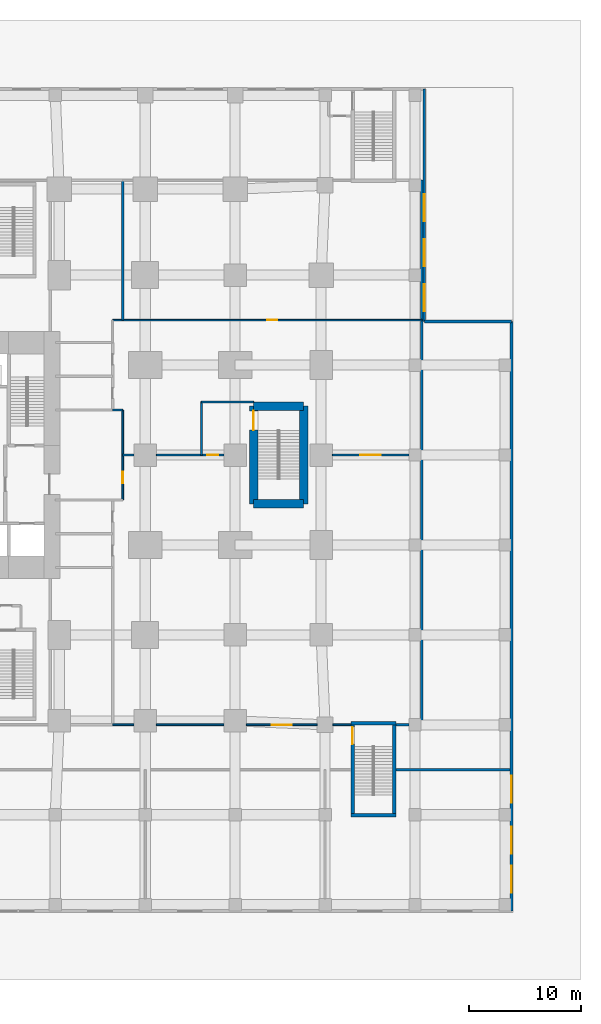
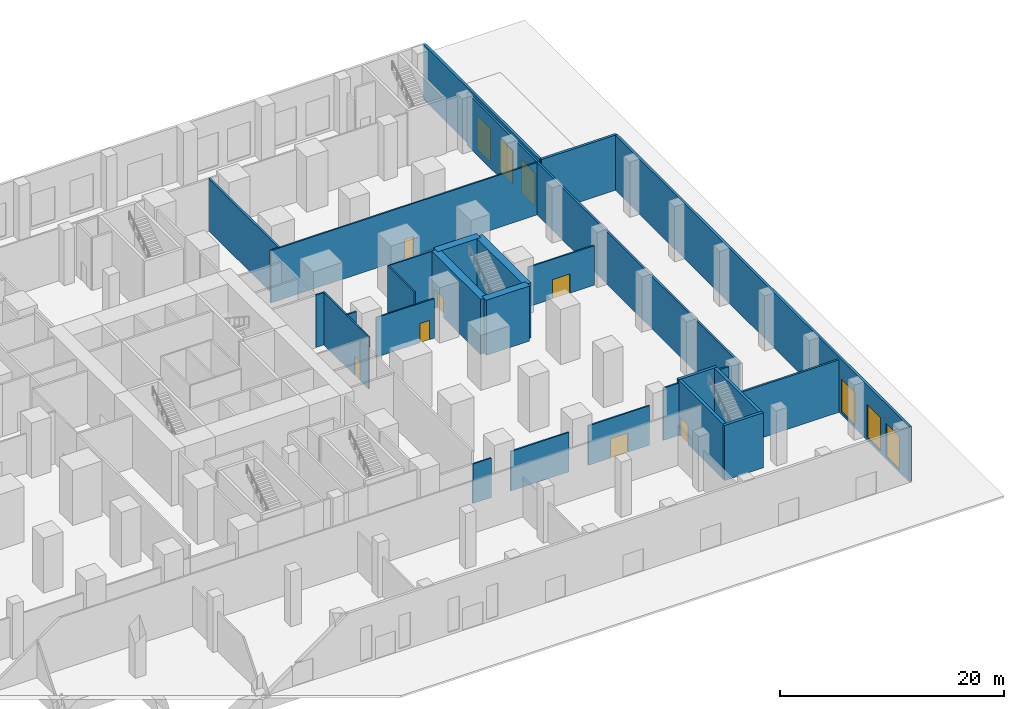
# One storey, part 9 of 16: 27 walls, 7 doors, 6 windows, 13 openings.
"""IFC4 building model written with IfcOpenShell, lengths in metres."""

from ifc_helpers import new_model, si_unit, direction, frame, frame_2d, origin, place, context, subcontext, project, spatial, rectangle, extrude, material, layer, layer_set, type_object, element, fill, save


model = new_model("IFC4")

# Units and contexts
model_context = context("Model", 3, precision=1e-05, world=origin(), true_north=direction((0.0, 1.0)))
body_context = subcontext(model_context, "Body", "Model", "MODEL_VIEW")
ifc_project = project(units=[si_unit("LENGTHUNIT", "METRE"), si_unit("AREAUNIT", "SQUARE_METRE"), si_unit("VOLUMEUNIT", "CUBIC_METRE"), si_unit("PLANEANGLEUNIT", "RADIAN"), si_unit("MASSUNIT", "GRAM", prefix="KILO")], contexts=[model_context])

# Site, building, storey
site_placement = place(None, origin())
site = spatial("IfcSite", under=ifc_project, at=site_placement, CompositionType="ELEMENT")
building_placement = place(site_placement, origin())
building = spatial("IfcBuilding", under=site, at=building_placement, Name="Cleftline Residences", CompositionType="ELEMENT")
storey_placement = place(building_placement, origin())
storey = spatial("IfcBuildingStorey", under=building, at=storey_placement, Name="L00", CompositionType="ELEMENT", Elevation=0.0)

# Wall, openings, windows
ifc_material_1 = material(Name="Rendered reinforced concrete blockwork", Category="masonry")
ifc_layer_1 = layer(ifc_material_1, 0.25)
ifc_layer_set_1 = layer_set([ifc_layer_1], Name="EXTERNAL WALL 250")
wall_type_1 = type_object("IfcWallType", Name="EXTERNAL WALL 250", PredefinedType="SOLIDWALL", material=ifc_layer_set_1)
wall_1_placement = place(storey_placement, frame((82.574951171875, -16.574951171875, 0.0), z_axis=(0.0, 0.0, 1.0), x_axis=(0.0, 1.0, 0.0)))
wall_1 = element("IfcWall", 1, at=wall_1_placement, inside=storey, type_object=wall_type_1, Name="External wall", PredefinedType="SOLIDWALL", context=body_context, shape_type="SweptSolid", body=[
    extrude(rectangle(XDim=52.449951171875, YDim=0.25, at=frame_2d((26.22509765625, 0.0))), origin(), (0.0, 0.0, 1.0), 6.0),
])
opening_1_placement = place(wall_1_placement, frame((1.64990234375, 0.0, 0.300048828125)))
opening_1 = element("IfcOpeningElement", 2, at=opening_1_placement, cuts=wall_1, Name="Opening W1", PredefinedType="OPENING", context=body_context, shape_type="SweptSolid", body=[
    extrude(rectangle(XDim=2.39990234375, YDim=3.60009765625, at=frame_2d((1.199951171875, 1.800048828125))), frame((0.0, 0.135009765625, 0.0), z_axis=(0.0, -1.0, 0.0), x_axis=(1.0, 0.0, 0.0)), (0.0, 0.0, 1.0), 0.27001953125),
])
opening_2_placement = place(wall_1_placement, frame((5.10009765625, 0.0, 0.300048828125)))
opening_2 = element("IfcOpeningElement", 3, at=opening_2_placement, cuts=wall_1, Name="Opening W1", PredefinedType="OPENING", context=body_context, shape_type="SweptSolid", body=[
    extrude(rectangle(XDim=2.39990234375, YDim=3.60009765625, at=frame_2d((1.199951171875, 1.800048828125))), frame((0.0, 0.135009765625, 0.0), z_axis=(0.0, -1.0, 0.0), x_axis=(1.0, 0.0, 0.0)), (0.0, 0.0, 1.0), 0.27001953125),
])
opening_3_placement = place(wall_1_placement, frame((9.64990234375, 0.0, 0.300048828125)))
opening_3 = element("IfcOpeningElement", 4, at=opening_3_placement, cuts=wall_1, Name="Opening W1", PredefinedType="OPENING", context=body_context, shape_type="SweptSolid", body=[
    extrude(rectangle(XDim=2.39990234375, YDim=3.60009765625, at=frame_2d((1.199951171875, 1.800048828125))), frame((0.0, 0.135009765625, 0.0), z_axis=(0.0, -1.0, 0.0), x_axis=(1.0, 0.0, 0.0)), (0.0, 0.0, 1.0), 0.27001953125),
])
ifc_material_2 = material(Name="Aluminium frame, clear double glazing", Category="aluminium")
window_type = type_object("IfcWindowType", Name="WINDOW 2400X3600", PartitioningType="DOUBLE_PANEL_VERTICAL", PredefinedType="WINDOW", material=ifc_material_2)
window_1_placement = place(opening_1_placement, origin())
window_1 = element("IfcWindow", 5, at=window_1_placement, inside=storey, type_object=window_type, Name="Window", OverallHeight=3.60009765625, OverallWidth=2.39990234375, PartitioningType="SINGLE_PANEL", PredefinedType="WINDOW", context=body_context, shape_type="SweptSolid", body=[
    extrude(rectangle(XDim=2.39990234375, YDim=3.60009765625, at=frame_2d((1.199951171875, 1.800048828125))), frame((0.0, 0.030029296875, 0.0), z_axis=(0.0, -1.0, 0.0), x_axis=(1.0, 0.0, 0.0)), (0.0, 0.0, 1.0), 0.06005859375),
])
fill(opening_1, window_1)
window_2_placement = place(opening_2_placement, origin())
window_2 = element("IfcWindow", 6, at=window_2_placement, inside=storey, type_object=window_type, Name="Window", OverallHeight=3.60009765625, OverallWidth=2.39990234375, PartitioningType="SINGLE_PANEL", PredefinedType="WINDOW", context=body_context, shape_type="SweptSolid", body=[
    extrude(rectangle(XDim=2.39990234375, YDim=3.60009765625, at=frame_2d((1.199951171875, 1.800048828125))), frame((0.0, 0.030029296875, 0.0), z_axis=(0.0, -1.0, 0.0), x_axis=(1.0, 0.0, 0.0)), (0.0, 0.0, 1.0), 0.06005859375),
])
fill(opening_2, window_2)
window_3_placement = place(opening_3_placement, origin())
window_3 = element("IfcWindow", 7, at=window_3_placement, inside=storey, type_object=window_type, Name="Window", OverallHeight=3.60009765625, OverallWidth=2.39990234375, PartitioningType="SINGLE_PANEL", PredefinedType="WINDOW", context=body_context, shape_type="SweptSolid", body=[
    extrude(rectangle(XDim=2.39990234375, YDim=3.60009765625, at=frame_2d((1.199951171875, 1.800048828125))), frame((0.0, 0.030029296875, 0.0), z_axis=(0.0, -1.0, 0.0), x_axis=(1.0, 0.0, 0.0)), (0.0, 0.0, 1.0), 0.06005859375),
])
fill(opening_3, window_3)

# Wall
wall_2_placement = place(storey_placement, frame((82.574951171875, 35.875, 0.0), z_axis=(0.0, 0.0, 1.0), x_axis=(-1.0, 0.0, 0.0)))
element("IfcWall", 8, at=wall_2_placement, inside=storey, type_object=wall_type_1, Name="External wall", PredefinedType="SOLIDWALL", context=body_context, shape_type="SweptSolid", body=[
    extrude(rectangle(XDim=7.75, YDim=0.25, at=frame_2d((3.875, 0.0))), origin(), (0.0, 0.0, 1.0), 6.0),
])

# Wall, openings, windows
wall_3_placement = place(storey_placement, frame((74.824951171875, 35.875, 0.0), z_axis=(0.0, 0.0, 1.0), x_axis=(0.0, 1.0, 0.0)))
wall_3 = element("IfcWall", 9, at=wall_3_placement, inside=storey, type_object=wall_type_1, Name="External wall", PredefinedType="SOLIDWALL", context=body_context, shape_type="SweptSolid", body=[
    extrude(rectangle(XDim=20.699951171875, YDim=0.25, at=frame_2d((10.35009765625, 0.0))), origin(), (0.0, 0.0, 1.0), 6.0),
])
opening_4_placement = place(wall_3_placement, frame((4.925048828125, 0.0, 0.300048828125)))
opening_4 = element("IfcOpeningElement", 10, at=opening_4_placement, cuts=wall_3, Name="Opening W1", PredefinedType="OPENING", context=body_context, shape_type="SweptSolid", body=[
    extrude(rectangle(XDim=2.39990234375, YDim=3.60009765625, at=frame_2d((1.199951171875, 1.800048828125))), frame((0.0, 0.135009765625, 0.0), z_axis=(0.0, -1.0, 0.0), x_axis=(1.0, 0.0, 0.0)), (0.0, 0.0, 1.0), 0.27001953125),
])
opening_5_placement = place(wall_3_placement, frame((8.925048828125, 0.0, 0.300048828125)))
opening_5 = element("IfcOpeningElement", 11, at=opening_5_placement, cuts=wall_3, Name="Opening W1", PredefinedType="OPENING", context=body_context, shape_type="SweptSolid", body=[
    extrude(rectangle(XDim=2.39990234375, YDim=3.60009765625, at=frame_2d((1.199951171875, 1.800048828125))), frame((0.0, 0.135009765625, 0.0), z_axis=(0.0, -1.0, 0.0), x_axis=(1.0, 0.0, 0.0)), (0.0, 0.0, 1.0), 0.27001953125),
])
opening_6_placement = place(wall_3_placement, frame((0.925048828125, 0.0, 0.300048828125)))
opening_6 = element("IfcOpeningElement", 12, at=opening_6_placement, cuts=wall_3, Name="Opening W1", PredefinedType="OPENING", context=body_context, shape_type="SweptSolid", body=[
    extrude(rectangle(XDim=2.39990234375, YDim=3.60009765625, at=frame_2d((1.199951171875, 1.800048828125))), frame((0.0, 0.135009765625, 0.0), z_axis=(0.0, -1.0, 0.0), x_axis=(1.0, 0.0, 0.0)), (0.0, 0.0, 1.0), 0.27001953125),
])
window_4_placement = place(opening_4_placement, origin())
window_4 = element("IfcWindow", 13, at=window_4_placement, inside=storey, type_object=window_type, Name="Window", OverallHeight=3.60009765625, OverallWidth=2.39990234375, PartitioningType="SINGLE_PANEL", PredefinedType="WINDOW", context=body_context, shape_type="SweptSolid", body=[
    extrude(rectangle(XDim=2.39990234375, YDim=3.60009765625, at=frame_2d((1.199951171875, 1.800048828125))), frame((0.0, 0.030029296875, 0.0), z_axis=(0.0, -1.0, 0.0), x_axis=(1.0, 0.0, 0.0)), (0.0, 0.0, 1.0), 0.06005859375),
])
fill(opening_4, window_4)
window_5_placement = place(opening_5_placement, origin())
window_5 = element("IfcWindow", 14, at=window_5_placement, inside=storey, type_object=window_type, Name="Window", OverallHeight=3.60009765625, OverallWidth=2.39990234375, PartitioningType="SINGLE_PANEL", PredefinedType="WINDOW", context=body_context, shape_type="SweptSolid", body=[
    extrude(rectangle(XDim=2.39990234375, YDim=3.60009765625, at=frame_2d((1.199951171875, 1.800048828125))), frame((0.0, 0.030029296875, 0.0), z_axis=(0.0, -1.0, 0.0), x_axis=(1.0, 0.0, 0.0)), (0.0, 0.0, 1.0), 0.06005859375),
])
fill(opening_5, window_5)
window_6_placement = place(opening_6_placement, origin())
window_6 = element("IfcWindow", 15, at=window_6_placement, inside=storey, type_object=window_type, Name="Window", OverallHeight=3.60009765625, OverallWidth=2.39990234375, PartitioningType="SINGLE_PANEL", PredefinedType="WINDOW", context=body_context, shape_type="SweptSolid", body=[
    extrude(rectangle(XDim=2.39990234375, YDim=3.60009765625, at=frame_2d((1.199951171875, 1.800048828125))), frame((0.0, 0.030029296875, 0.0), z_axis=(0.0, -1.0, 0.0), x_axis=(1.0, 0.0, 0.0)), (0.0, 0.0, 1.0), 0.06005859375),
])
fill(opening_6, window_6)

# Walls
ifc_material_3 = material(Name="Concrete blockwork, fire rated", Category="masonry")
ifc_layer_2 = layer(ifc_material_3, 0.199951171875)
ifc_layer_set_2 = layer_set([ifc_layer_2], Name="FIRE WALL 200")
wall_type_2 = type_object("IfcWallType", Name="FIRE WALL 200", PredefinedType="PARTITIONING", material=ifc_layer_set_2)
wall_4_placement = place(storey_placement, frame((72.300048828125, -4.0, 0.0), z_axis=(0.0, 0.0, 1.0), x_axis=(1.0, 0.0, 0.0)))
element("IfcWall", 16, at=wall_4_placement, inside=storey, type_object=wall_type_2, Name="Fire separating wall", PredefinedType="PARTITIONING", context=body_context, shape_type="SweptSolid", body=[
    extrude(rectangle(XDim=10.14990234375, YDim=0.199951171875, at=frame_2d((5.074951171875, 0.0))), origin(), (0.0, 0.0, 1.0), 5.699951171875),
])
wall_5_placement = place(storey_placement, frame((72.300048828125, 0.0, 0.0), z_axis=(0.0, 0.0, 1.0), x_axis=(1.0, 0.0, 0.0)))
element("IfcWall", 17, at=wall_5_placement, inside=storey, type_object=wall_type_2, Name="Fire separating wall", PredefinedType="PARTITIONING", context=body_context, shape_type="SweptSolid", body=[
    extrude(rectangle(XDim=1.14990234375, YDim=0.199951171875, at=frame_2d((0.574951171875, 0.0))), origin(), (0.0, 0.0, 1.0), 5.699951171875),
])
wall_6_placement = place(storey_placement, frame((48.0, 36.0, 0.0), z_axis=(0.0, 0.0, 1.0), x_axis=(0.0, 1.0, 0.0)))
element("IfcWall", 18, at=wall_6_placement, inside=storey, type_object=wall_type_2, Name="Fire separating wall", PredefinedType="PARTITIONING", context=body_context, shape_type="SweptSolid", body=[
    extrude(rectangle(XDim=12.449951171875, YDim=0.199951171875, at=frame_2d((6.22509765625, 0.0))), origin(), (0.0, 0.0, 1.0), 5.699951171875),
])
wall_7_placement = place(storey_placement, frame((74.60009765625, 0.0, 0.0), z_axis=(0.0, 0.0, 1.0), x_axis=(0.0, 1.0, 0.0)))
element("IfcWall", 19, at=wall_7_placement, inside=storey, type_object=wall_type_2, Name="Fire separating wall", PredefinedType="PARTITIONING", context=body_context, shape_type="SweptSolid", body=[
    extrude(rectangle(XDim=48.449951171875, YDim=0.199951171875, at=frame_2d((24.22509765625, 0.0))), origin(), (0.0, 0.0, 1.0), 5.699951171875),
])
ifc_material_4 = material(Name="Gypsum board on steel studs", Category="steel")
ifc_layer_3 = layer(ifc_material_4, 0.14990234375)
ifc_layer_set_3 = layer_set([ifc_layer_3], Name="PARTITION 150")
wall_type_3 = type_object("IfcWallType", Name="PARTITION 150", PredefinedType="PARTITIONING", material=ifc_layer_set_3)
wall_8_placement = place(storey_placement, frame((47.10009765625, 0.0, 0.0), z_axis=(0.0, 0.0, 1.0), x_axis=(1.0, 0.0, 0.0)))
element("IfcWall", 20, at=wall_8_placement, inside=storey, type_object=wall_type_3, Name="Partition", PredefinedType="PARTITIONING", context=body_context, shape_type="SweptSolid", body=[
    extrude(rectangle(XDim=1.89990234375, YDim=0.14990234375, at=frame_2d((0.949951171875, 0.0))), origin(), (0.0, 0.0, 1.0), 4.300048828125),
])
wall_9_placement = place(storey_placement, frame((51.0, 0.0, 0.0), z_axis=(0.0, 0.0, 1.0), x_axis=(1.0, 0.0, 0.0)))
element("IfcWall", 21, at=wall_9_placement, inside=storey, type_object=wall_type_3, Name="Partition", PredefinedType="PARTITIONING", context=body_context, shape_type="SweptSolid", body=[
    extrude(rectangle(XDim=6.0, YDim=0.14990234375, at=frame_2d((3.0, 0.0))), origin(), (0.0, 0.0, 1.0), 4.300048828125),
])

# Wall, opening, door
wall_10_placement = place(storey_placement, frame((59.0, 0.0, 0.0), z_axis=(0.0, 0.0, 1.0), x_axis=(1.0, 0.0, 0.0)))
wall_10 = element("IfcWall", 22, at=wall_10_placement, inside=storey, type_object=wall_type_3, Name="Partition", PredefinedType="PARTITIONING", context=body_context, shape_type="SweptSolid", body=[
    extrude(rectangle(XDim=6.300048828125, YDim=0.14990234375, at=frame_2d((3.14990234375, 0.0))), origin(), (0.0, 0.0, 1.0), 4.300048828125),
])
opening_7_placement = place(wall_10_placement, frame((2.25, 0.0, 0.0)))
opening_7 = element("IfcOpeningElement", 23, at=opening_7_placement, cuts=wall_10, Name="Opening D3F30", PredefinedType="OPENING", context=body_context, shape_type="SweptSolid", body=[
    extrude(rectangle(XDim=1.800048828125, YDim=2.10009765625, at=frame_2d((0.89990234375, 1.050048828125))), frame((0.0, 0.0849609375, 0.0), z_axis=(0.0, -1.0, 0.0), x_axis=(1.0, 0.0, 0.0)), (0.0, 0.0, 1.0), 0.169921875),
])
ifc_material_5 = material(Name="Timber veneer on solid core", Category="wood")
door_type_1 = type_object("IfcDoorType", Name="DOUBLE DOOR 1800X2100 EI 30", OperationType="DOUBLE_DOOR_DOUBLE_SWING", PredefinedType="DOOR", material=ifc_material_5)
door_1_placement = place(opening_7_placement, origin())
door_1 = element("IfcDoor", 24, at=door_1_placement, inside=storey, type_object=door_type_1, Name="Door to retail lobby", OperationType="DOUBLE_DOOR_DOUBLE_SWING", OverallHeight=2.10009765625, OverallWidth=1.800048828125, PredefinedType="DOOR", context=body_context, shape_type="SweptSolid", body=[
    extrude(rectangle(XDim=1.800048828125, YDim=2.10009765625, at=frame_2d((0.89990234375, 1.050048828125))), frame((0.0, 0.02490234375, 0.0), z_axis=(0.0, -1.0, 0.0), x_axis=(1.0, 0.0, 0.0)), (0.0, 0.0, 1.0), 0.050048828125),
])
fill(opening_7, door_1)

# Walls
wall_11_placement = place(storey_placement, frame((66.699951171875, 0.0, 0.0), z_axis=(0.0, 0.0, 1.0), x_axis=(1.0, 0.0, 0.0)))
element("IfcWall", 25, at=wall_11_placement, inside=storey, type_object=wall_type_3, Name="Partition", PredefinedType="PARTITIONING", context=body_context, shape_type="SweptSolid", body=[
    extrude(rectangle(XDim=1.60009765625, YDim=0.14990234375, at=frame_2d((0.800048828125, 0.0))), origin(), (0.0, 0.0, 1.0), 5.699951171875),
])
wall_12_placement = place(storey_placement, frame((48.0, 24.0, 0.0), z_axis=(0.0, 0.0, 1.0), x_axis=(1.0, 0.0, 0.0)))
element("IfcWall", 26, at=wall_12_placement, inside=storey, type_object=wall_type_3, Name="Partition", PredefinedType="PARTITIONING", context=body_context, shape_type="SweptSolid", body=[
    extrude(rectangle(XDim=1.0, YDim=0.14990234375, at=frame_2d((0.5, 0.0))), origin(), (0.0, 0.0, 1.0), 5.699951171875),
])

# Wall, opening, door
wall_13_placement = place(storey_placement, frame((51.0, 24.0, 0.0), z_axis=(0.0, 0.0, 1.0), x_axis=(1.0, 0.0, 0.0)))
wall_13 = element("IfcWall", 27, at=wall_13_placement, inside=storey, type_object=wall_type_3, Name="Partition", PredefinedType="PARTITIONING", context=body_context, shape_type="SweptSolid", body=[
    extrude(rectangle(XDim=6.0, YDim=0.14990234375, at=frame_2d((3.0, 0.0))), origin(), (0.0, 0.0, 1.0), 4.300048828125),
])
opening_8_placement = place(wall_13_placement, frame((4.5, 0.0, 0.0)))
opening_8 = element("IfcOpeningElement", 28, at=opening_8_placement, cuts=wall_13, Name="Opening D2F30", PredefinedType="OPENING", context=body_context, shape_type="SweptSolid", body=[
    extrude(rectangle(XDim=1.0, YDim=2.10009765625, at=frame_2d((0.5, 1.050048828125))), frame((0.0, 0.0849609375, 0.0), z_axis=(0.0, -1.0, 0.0), x_axis=(1.0, 0.0, 0.0)), (0.0, 0.0, 1.0), 0.169921875),
])
ifc_material_6 = material(Name="Timber veneer on solid core", Category="wood")
door_type_2 = type_object("IfcDoorType", Name="DOOR 1000X2100 EI 30", OperationType="SINGLE_SWING_LEFT", PredefinedType="DOOR", material=ifc_material_6)
door_2_placement = place(opening_8_placement, origin())
door_2 = element("IfcDoor", 29, at=door_2_placement, inside=storey, type_object=door_type_2, Name="Door to stair lobby east", OperationType="SINGLE_SWING_LEFT", OverallHeight=2.10009765625, OverallWidth=1.0, PredefinedType="DOOR", context=body_context, shape_type="SweptSolid", body=[
    extrude(rectangle(XDim=1.0, YDim=2.10009765625, at=frame_2d((0.5, 1.050048828125))), frame((0.0, 0.02490234375, 0.0), z_axis=(0.0, -1.0, 0.0), x_axis=(1.0, 0.0, 0.0)), (0.0, 0.0, 1.0), 0.050048828125),
])
fill(opening_8, door_2)

wall_14_placement = place(storey_placement, frame((66.64990234375, 24.0, 0.0), z_axis=(0.0, 0.0, 1.0), x_axis=(1.0, 0.0, 0.0)))
wall_14 = element("IfcWall", 30, at=wall_14_placement, inside=storey, type_object=wall_type_3, Name="Partition", PredefinedType="PARTITIONING", context=body_context, shape_type="SweptSolid", body=[
    extrude(rectangle(XDim=6.800048828125, YDim=0.14990234375, at=frame_2d((3.39990234375, 0.0))), origin(), (0.0, 0.0, 1.0), 4.300048828125),
])
opening_9_placement = place(wall_14_placement, frame((2.5, 0.0, 0.0)))
opening_9 = element("IfcOpeningElement", 31, at=opening_9_placement, cuts=wall_14, Name="Opening D3", PredefinedType="OPENING", context=body_context, shape_type="SweptSolid", body=[
    extrude(rectangle(XDim=1.800048828125, YDim=2.10009765625, at=frame_2d((0.89990234375, 1.050048828125))), frame((0.0, 0.0849609375, 0.0), z_axis=(0.0, -1.0, 0.0), x_axis=(1.0, 0.0, 0.0)), (0.0, 0.0, 1.0), 0.169921875),
])
ifc_material_7 = material(Name="Timber veneer on solid core", Category="wood")
door_type_3 = type_object("IfcDoorType", Name="DOUBLE DOOR 1800X2100", OperationType="DOUBLE_DOOR_DOUBLE_SWING", PredefinedType="DOOR", material=ifc_material_7)
door_3_placement = place(opening_9_placement, origin())
door_3 = element("IfcDoor", 32, at=door_3_placement, inside=storey, type_object=door_type_3, Name="Door to restaurant", OperationType="DOUBLE_DOOR_DOUBLE_SWING", OverallHeight=2.10009765625, OverallWidth=1.800048828125, PredefinedType="DOOR", context=body_context, shape_type="SweptSolid", body=[
    extrude(rectangle(XDim=1.800048828125, YDim=2.10009765625, at=frame_2d((0.89990234375, 1.050048828125))), frame((0.0, 0.02490234375, 0.0), z_axis=(0.0, -1.0, 0.0), x_axis=(1.0, 0.0, 0.0)), (0.0, 0.0, 1.0), 0.050048828125),
])
fill(opening_9, door_3)

# Walls
wall_15_placement = place(storey_placement, frame((47.10009765625, 28.0, 0.0), z_axis=(0.0, 0.0, 1.0), x_axis=(1.0, 0.0, 0.0)))
element("IfcWall", 33, at=wall_15_placement, inside=storey, type_object=wall_type_3, Name="Partition", PredefinedType="PARTITIONING", context=body_context, shape_type="SweptSolid", body=[
    extrude(rectangle(XDim=0.89990234375, YDim=0.14990234375, at=frame_2d((0.449951171875, 0.0))), origin(), (0.0, 0.0, 1.0), 5.699951171875),
])
wall_16_placement = place(storey_placement, frame((55.0, 28.72509765625, 0.0), z_axis=(0.0, 0.0, 1.0), x_axis=(1.0, 0.0, 0.0)))
element("IfcWall", 34, at=wall_16_placement, inside=storey, type_object=wall_type_3, Name="Partition", PredefinedType="PARTITIONING", context=body_context, shape_type="SweptSolid", body=[
    extrude(rectangle(XDim=4.64990234375, YDim=0.14990234375, at=frame_2d((2.324951171875, 0.0))), origin(), (0.0, 0.0, 1.0), 5.699951171875),
])

# Wall, opening, door
wall_17_placement = place(storey_placement, frame((47.10009765625, 36.0, 0.0), z_axis=(0.0, 0.0, 1.0), x_axis=(1.0, 0.0, 0.0)))
wall_17 = element("IfcWall", 35, at=wall_17_placement, inside=storey, type_object=wall_type_3, Name="Partition", PredefinedType="PARTITIONING", context=body_context, shape_type="SweptSolid", body=[
    extrude(rectangle(XDim=27.5, YDim=0.14990234375, at=frame_2d((13.75, 0.0))), origin(), (0.0, 0.0, 1.0), 5.699951171875),
])
opening_10_placement = place(wall_17_placement, frame((13.75, 0.0, 0.0)))
opening_10 = element("IfcOpeningElement", 36, at=opening_10_placement, cuts=wall_17, Name="Opening D1", PredefinedType="OPENING", context=body_context, shape_type="SweptSolid", body=[
    extrude(rectangle(XDim=0.89990234375, YDim=2.10009765625, at=frame_2d((0.449951171875, 1.050048828125))), frame((0.0, 0.0849609375, 0.0), z_axis=(0.0, -1.0, 0.0), x_axis=(1.0, 0.0, 0.0)), (0.0, 0.0, 1.0), 0.169921875),
])
ifc_material_8 = material(Name="Timber veneer on solid core", Category="wood")
door_type_4 = type_object("IfcDoorType", Name="DOOR 900X2100", OperationType="SINGLE_SWING_LEFT", PredefinedType="DOOR", material=ifc_material_8)
door_4_placement = place(opening_10_placement, origin())
door_4 = element("IfcDoor", 37, at=door_4_placement, inside=storey, type_object=door_type_4, Name="Door to restaurant kitchen", OperationType="SINGLE_SWING_LEFT", OverallHeight=2.10009765625, OverallWidth=0.89990234375, PredefinedType="DOOR", context=body_context, shape_type="SweptSolid", body=[
    extrude(rectangle(XDim=0.89990234375, YDim=2.10009765625, at=frame_2d((0.449951171875, 1.050048828125))), frame((0.0, 0.02490234375, 0.0), z_axis=(0.0, -1.0, 0.0), x_axis=(1.0, 0.0, 0.0)), (0.0, 0.0, 1.0), 0.050048828125),
])
fill(opening_10, door_4)

wall_18_placement = place(storey_placement, frame((48.0, 20.0, 0.0), z_axis=(0.0, 0.0, 1.0), x_axis=(0.0, 1.0, 0.0)))
wall_18 = element("IfcWall", 38, at=wall_18_placement, inside=storey, type_object=wall_type_3, Name="Partition", PredefinedType="PARTITIONING", context=body_context, shape_type="SweptSolid", body=[
    extrude(rectangle(XDim=8.0, YDim=0.14990234375, at=frame_2d((4.0, 0.0))), origin(), (0.0, 0.0, 1.0), 5.699951171875),
])
opening_11_placement = place(wall_18_placement, frame((1.5, 0.0, 0.0)))
opening_11 = element("IfcOpeningElement", 39, at=opening_11_placement, cuts=wall_18, Name="Opening D2F30", PredefinedType="OPENING", context=body_context, shape_type="SweptSolid", body=[
    extrude(rectangle(XDim=1.0, YDim=2.10009765625, at=frame_2d((0.5, 1.050048828125))), frame((0.0, 0.0849609375, 0.0), z_axis=(0.0, -1.0, 0.0), x_axis=(1.0, 0.0, 0.0)), (0.0, 0.0, 1.0), 0.169921875),
])
door_5_placement = place(opening_11_placement, origin())
door_5 = element("IfcDoor", 40, at=door_5_placement, inside=storey, type_object=door_type_2, Name="Door to east lift lobby", OperationType="SINGLE_SWING_RIGHT", OverallHeight=2.10009765625, OverallWidth=1.0, PredefinedType="DOOR", context=body_context, shape_type="SweptSolid", body=[
    extrude(rectangle(XDim=1.0, YDim=2.10009765625, at=frame_2d((0.5, 1.050048828125))), frame((0.0, 0.02490234375, 0.0), z_axis=(0.0, -1.0, 0.0), x_axis=(1.0, 0.0, 0.0)), (0.0, 0.0, 1.0), 0.050048828125),
])
fill(opening_11, door_5)

# Walls
wall_19_placement = place(storey_placement, frame((55.0, 24.0, 0.0), z_axis=(0.0, 0.0, 1.0), x_axis=(0.0, 1.0, 0.0)))
element("IfcWall", 41, at=wall_19_placement, inside=storey, type_object=wall_type_3, Name="Partition", PredefinedType="PARTITIONING", context=body_context, shape_type="SweptSolid", body=[
    extrude(rectangle(XDim=4.72509765625, YDim=0.14990234375, at=frame_2d((2.362548828125, 0.0))), origin(), (0.0, 0.0, 1.0), 5.699951171875),
])
ifc_material_9 = material(Name="Concrete B70", Category="concrete")
ifc_layer_4 = layer(ifc_material_9, 0.75)
ifc_layer_set_4 = layer_set([ifc_layer_4], Name="SHEAR WALL 750")
wall_type_4 = type_object("IfcWallType", Name="SHEAR WALL 750", PredefinedType="SHEAR", material=ifc_layer_set_4)
wall_20_placement = place(storey_placement, frame((59.64990234375, 19.64990234375, 0.0), z_axis=(0.0, 0.0, 1.0), x_axis=(1.0, 0.0, 0.0)))
element("IfcWall", 42, at=wall_20_placement, inside=storey, type_object=wall_type_4, Name="Wing shear wall", PredefinedType="SHEAR", context=body_context, shape_type="SweptSolid", body=[
    extrude(rectangle(XDim=4.4501953125, YDim=0.75, at=frame_2d((2.22509765625, 0.0))), origin(), (0.0, 0.0, 1.0), 6.0),
])
wall_21_placement = place(storey_placement, frame((64.10009765625, 19.64990234375, 0.0), z_axis=(0.0, 0.0, 1.0), x_axis=(0.0, 1.0, 0.0)))
element("IfcWall", 43, at=wall_21_placement, inside=storey, type_object=wall_type_4, Name="Wing shear wall", PredefinedType="SHEAR", context=body_context, shape_type="SweptSolid", body=[
    extrude(rectangle(XDim=8.7001953125, YDim=0.75, at=frame_2d((4.35009765625, 0.0))), origin(), (0.0, 0.0, 1.0), 6.0),
])
wall_22_placement = place(storey_placement, frame((64.10009765625, 28.35009765625, 0.0), z_axis=(0.0, 0.0, 1.0), x_axis=(-1.0, 0.0, 0.0)))
element("IfcWall", 44, at=wall_22_placement, inside=storey, type_object=wall_type_4, Name="Wing shear wall", PredefinedType="SHEAR", context=body_context, shape_type="SweptSolid", body=[
    extrude(rectangle(XDim=4.4501953125, YDim=0.75, at=frame_2d((2.22509765625, 0.0))), origin(), (0.0, 0.0, 1.0), 6.0),
])

# Wall, opening, door
wall_23_placement = place(storey_placement, frame((59.64990234375, 28.35009765625, 0.0), z_axis=(0.0, 0.0, 1.0), x_axis=(0.0, -1.0, 0.0)))
wall_23 = element("IfcWall", 45, at=wall_23_placement, inside=storey, type_object=wall_type_4, Name="Wing shear wall", PredefinedType="SHEAR", context=body_context, shape_type="SweptSolid", body=[
    extrude(rectangle(XDim=8.7001953125, YDim=0.75, at=frame_2d((4.35009765625, 0.0))), origin(), (0.0, 0.0, 1.0), 6.0),
])
opening_12_placement = place(wall_23_placement, frame((0.425048828125, 0.0, 0.0)))
opening_12 = element("IfcOpeningElement", 46, at=opening_12_placement, cuts=wall_23, Name="Opening D10", PredefinedType="OPENING", context=body_context, shape_type="SweptSolid", body=[
    extrude(rectangle(XDim=1.699951171875, YDim=2.10009765625, at=frame_2d((0.85009765625, 1.050048828125))), frame((0.0, 0.385009765625, 0.0), z_axis=(0.0, -1.0, 0.0), x_axis=(1.0, 0.0, 0.0)), (0.0, 0.0, 1.0), 0.77001953125),
])
ifc_material_10 = material(Name="Steel", Category="steel")
door_type_5 = type_object("IfcDoorType", Name="STAIR DOOR 1700X2100", OperationType="DOUBLE_DOOR_SINGLE_SWING", PredefinedType="DOOR", material=ifc_material_10)
door_6_placement = place(opening_12_placement, origin())
door_6 = element("IfcDoor", 47, at=door_6_placement, inside=storey, type_object=door_type_5, Name="Stair E door", OperationType="DOUBLE_DOOR_SINGLE_SWING", OverallHeight=2.10009765625, OverallWidth=1.699951171875, PredefinedType="DOOR", context=body_context, shape_type="SweptSolid", body=[
    extrude(rectangle(XDim=1.699951171875, YDim=2.10009765625, at=frame_2d((0.85009765625, 1.050048828125))), frame((0.0, 0.02490234375, 0.0), z_axis=(0.0, -1.0, 0.0), x_axis=(1.0, 0.0, 0.0)), (0.0, 0.0, 1.0), 0.050048828125),
])
fill(opening_12, door_6)

# Walls
ifc_material_11 = material(Name="Concrete blockwork, fire rated", Category="masonry")
ifc_layer_5 = layer(ifc_material_11, 0.300048828125)
ifc_layer_set_5 = layer_set([ifc_layer_5], Name="STAIR ENCLOSURE WALL 300")
wall_type_5 = type_object("IfcWallType", Name="STAIR ENCLOSURE WALL 300", PredefinedType="PARTITIONING", material=ifc_layer_set_5)
for number, where, z_axis, x_axis, name in (
    (48, (68.300048828125, -8.050048828125, 0.0), (0.0, 0.0, 1.0), (1.0, 0.0, 0.0), "Stair PS-S enclosure"),
    (49, (68.300048828125, 0.14990234375, 0.0), (0.0, 0.0, 1.0), (1.0, 0.0, 0.0), "Stair PS-S enclosure"),
):
    element("IfcWall", number, at=place(storey_placement, frame(where, z_axis=z_axis, x_axis=x_axis)), inside=storey, type_object=wall_type_5, Name=name, PredefinedType="PARTITIONING", context=body_context, shape_type="SweptSolid", body=[
        extrude(rectangle(XDim=4.0, YDim=0.300048828125, at=frame_2d((2.0, 0.0))), origin(), (0.0, 0.0, 1.0), 6.0),
    ])

# Wall, opening, door
wall_24_placement = place(storey_placement, frame((68.449951171875, -7.89990234375, 0.0), z_axis=(0.0, 0.0, 1.0), x_axis=(0.0, 1.0, 0.0)))
wall_24 = element("IfcWall", 50, at=wall_24_placement, inside=storey, type_object=wall_type_5, Name="Stair PS-S enclosure", PredefinedType="PARTITIONING", context=body_context, shape_type="SweptSolid", body=[
    extrude(rectangle(XDim=7.89990234375, YDim=0.300048828125, at=frame_2d((3.949951171875, 0.0))), origin(), (0.0, 0.0, 1.0), 6.0),
])
opening_13_placement = place(wall_24_placement, frame((6.18505859375, 0.0, 0.0)))
opening_13 = element("IfcOpeningElement", 51, at=opening_13_placement, cuts=wall_24, Name="Opening D12", PredefinedType="OPENING", context=body_context, shape_type="SweptSolid", body=[
    extrude(rectangle(XDim=1.5, YDim=2.10009765625, at=frame_2d((0.75, 1.050048828125))), frame((0.0, 0.159912109375, 0.0), z_axis=(0.0, -1.0, 0.0), x_axis=(1.0, 0.0, 0.0)), (0.0, 0.0, 1.0), 0.320068359375),
])
ifc_material_12 = material(Name="Steel", Category="steel")
door_type_6 = type_object("IfcDoorType", Name="STAIR DOOR 1500X2100", OperationType="DOUBLE_DOOR_SINGLE_SWING", PredefinedType="DOOR", material=ifc_material_12)
door_7_placement = place(opening_13_placement, origin())
door_7 = element("IfcDoor", 52, at=door_7_placement, inside=storey, type_object=door_type_6, Name="Stair PS-S door", OperationType="DOUBLE_DOOR_SINGLE_SWING", OverallHeight=2.10009765625, OverallWidth=1.5, PredefinedType="DOOR", context=body_context, shape_type="SweptSolid", body=[
    extrude(rectangle(XDim=1.5, YDim=2.10009765625, at=frame_2d((0.75, 1.050048828125))), frame((0.0, 0.02490234375, 0.0), z_axis=(0.0, -1.0, 0.0), x_axis=(1.0, 0.0, 0.0)), (0.0, 0.0, 1.0), 0.050048828125),
])
fill(opening_13, door_7)

# Wall
wall_25_placement = place(storey_placement, frame((72.14990234375, -7.89990234375, 0.0), z_axis=(0.0, 0.0, 1.0), x_axis=(0.0, 1.0, 0.0)))
element("IfcWall", 53, at=wall_25_placement, inside=storey, type_object=wall_type_5, Name="Stair PS-S enclosure", PredefinedType="PARTITIONING", context=body_context, shape_type="SweptSolid", body=[
    extrude(rectangle(XDim=7.89990234375, YDim=0.300048828125, at=frame_2d((3.949951171875, 0.0))), origin(), (0.0, 0.0, 1.0), 6.0),
])

save(model, "model.ifc")
